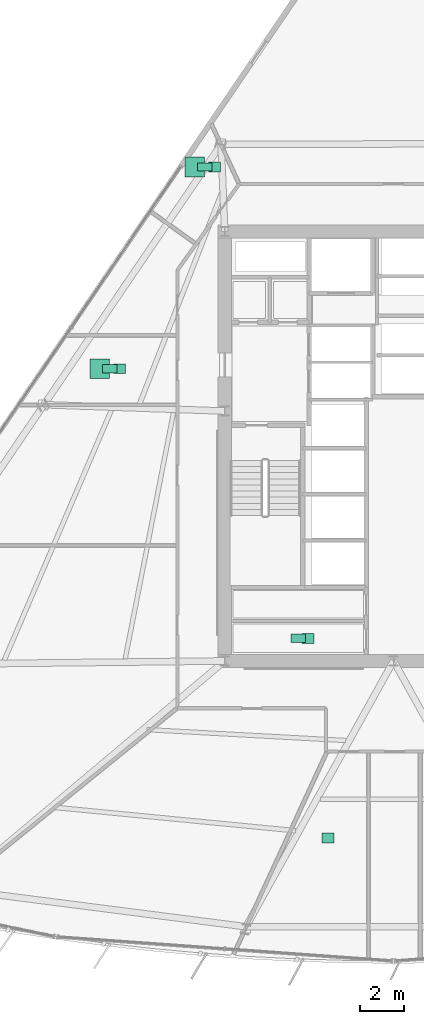
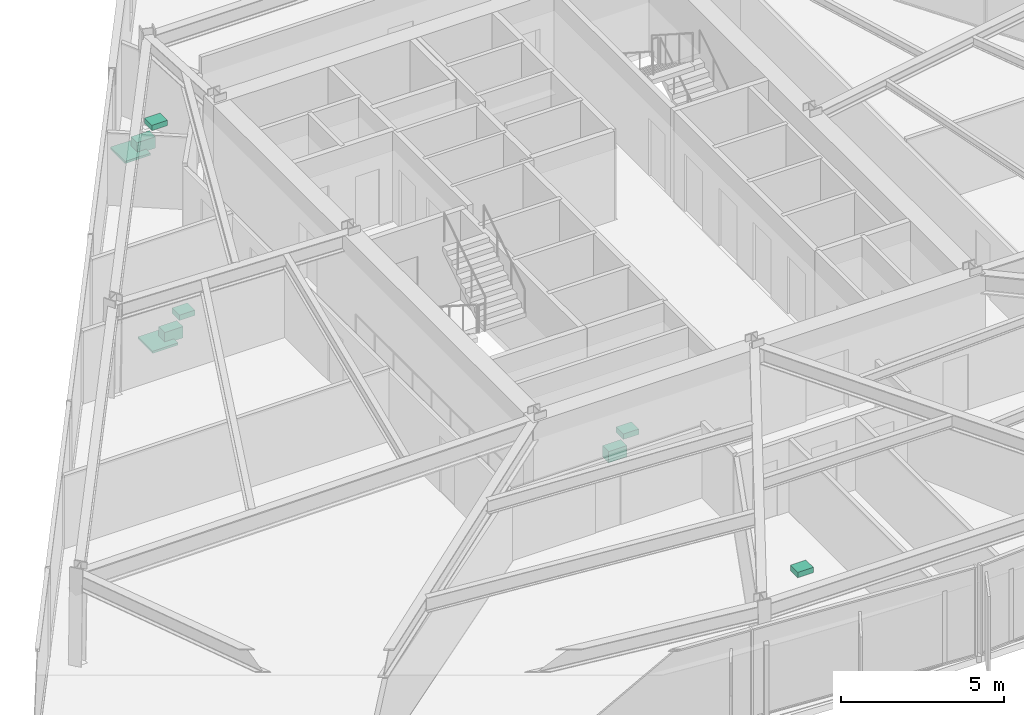
# One storey, part 18 of 18: 9 sanitary terminals.
"""IFC4 building model written with IfcOpenShell, lengths in metres."""

from ifc_helpers import new_model, si_unit, direction, frame, origin, origin_2d, place, context, subcontext, project, spatial, rectangle, extrude, material, type_object, element, save


model = new_model("IFC4")

# Units and contexts
model_context = context("Model", 3, precision=1e-05, world=origin(), true_north=direction((0.0, 1.0)))
body_context = subcontext(model_context, "Body", "Model", "MODEL_VIEW")
ifc_project = project(units=[si_unit("LENGTHUNIT", "METRE"), si_unit("AREAUNIT", "SQUARE_METRE"), si_unit("VOLUMEUNIT", "CUBIC_METRE"), si_unit("PLANEANGLEUNIT", "RADIAN"), si_unit("MASSUNIT", "GRAM", prefix="KILO")], contexts=[model_context])

# Site, building, storey
site_placement = place(None, origin())
site = spatial("IfcSite", under=ifc_project, at=site_placement, CompositionType="ELEMENT")
building_placement = place(site_placement, origin())
building = spatial("IfcBuilding", under=site, at=building_placement, Name="Savorim Split Tower", CompositionType="ELEMENT")
storey_placement = place(building_placement, frame((0.0, 0.0, 37.199951171875)))
storey = spatial("IfcBuildingStorey", under=building, at=storey_placement, Name="L09", CompositionType="ELEMENT", Elevation=37.199951171875)

# Sanitary terminals
ifc_material = material(Name="Vitreous China Sanitaryware")
sanitary_terminal_type_1 = type_object("IfcSanitaryTerminalType", Name="SAN-SHW-900", PredefinedType="SHOWER", material=ifc_material)
for number, where, z_axis, x_axis, name in (
    (1, (-9.064697265625, 13.13427734375, 0.0), (0.0, 0.0, 1.0), (1.0, 0.0, 0.0), "L09 Shared Bathroom Shower"),
    (2, (-13.40087890625, 3.933349609375, 0.0), (0.0, 0.0, 1.0), (1.0, 0.0, 0.0), "L09 Shared Bathroom Shower"),
):
    element("IfcSanitaryTerminal", number, at=place(storey_placement, frame(where, z_axis=z_axis, x_axis=x_axis)), inside=storey, type_object=sanitary_terminal_type_1, Name=name, PredefinedType="SHOWER", context=body_context, shape_type="SweptSolid", body=[
        extrude(rectangle(XDim=0.89990234375, YDim=0.89990234375, at=origin_2d()), origin(), (0.0, 0.0, 1.0), 0.080078125),
    ])
sanitary_terminal_type_2 = type_object("IfcSanitaryTerminalType", Name="SAN-WC-PAN", PredefinedType="TOILETPAN", material=ifc_material)
for number, where, z_axis, x_axis, name in (
    (3, (-4.35009765625, -8.3701171875, 0.0), (0.0, 0.0, 1.0), (1.0, 0.0, 0.0), "L09 Public WC WC Pan"),
    (4, (-8.61474609375, 13.13427734375, 0.0), (0.0, 0.0, 1.0), (1.0, 0.0, 0.0), "L09 Shared Bathroom WC Pan"),
    (5, (-12.950927734375, 3.933349609375, 0.0), (0.0, 0.0, 1.0), (1.0, 0.0, 0.0), "L09 Shared Bathroom WC Pan"),
):
    element("IfcSanitaryTerminal", number, at=place(storey_placement, frame(where, z_axis=z_axis, x_axis=x_axis)), inside=storey, type_object=sanitary_terminal_type_2, Name=name, PredefinedType="TOILETPAN", context=body_context, shape_type="SweptSolid", body=[
        extrude(rectangle(XDim=0.64990234375, YDim=0.3798828125, at=origin_2d()), origin(), (0.0, 0.0, 1.0), 0.419921875),
    ])
sanitary_terminal_type_3 = type_object("IfcSanitaryTerminalType", Name="SAN-WHB-550", PredefinedType="WASHHANDBASIN", material=ifc_material)
for number, where, z_axis, x_axis, name in (
    (6, (-3.89990234375, -8.3701171875, 0.72021484375), (0.0, 0.0, 1.0), (1.0, 0.0, 0.0), "L09 Public WC Washhand Basin"),
    (7, (-2.98779296875, -17.472900390625, 0.75), (0.0, 0.0, 1.0), (1.0, 0.0, 0.0), "L09 Shared Kitchen Utility Sink"),
    (8, (-8.164794921875, 13.13427734375, 0.72021484375), (0.0, 0.0, 1.0), (1.0, 0.0, 0.0), "L09 Shared Bathroom Washhand Basin"),
    (9, (-12.5009765625, 3.933349609375, 0.72021484375), (0.0, 0.0, 1.0), (1.0, 0.0, 0.0), "L09 Shared Bathroom Washhand Basin"),
):
    element("IfcSanitaryTerminal", number, at=place(storey_placement, frame(where, z_axis=z_axis, x_axis=x_axis)), inside=storey, type_object=sanitary_terminal_type_3, Name=name, PredefinedType="WASHHANDBASIN", context=body_context, shape_type="SweptSolid", body=[
        extrude(rectangle(XDim=0.550048828125, YDim=0.449951171875, at=origin_2d()), origin(), (0.0, 0.0, 1.0), 0.199951171875),
    ])

save(model, "model.ifc")
